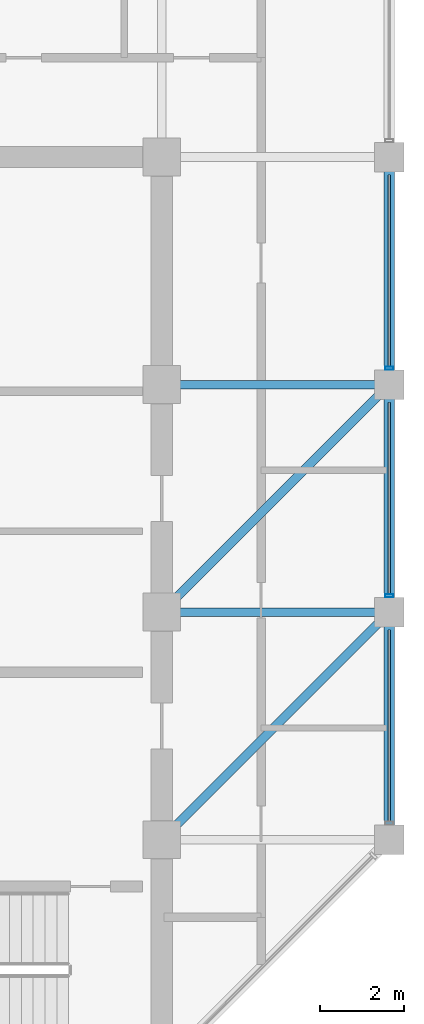
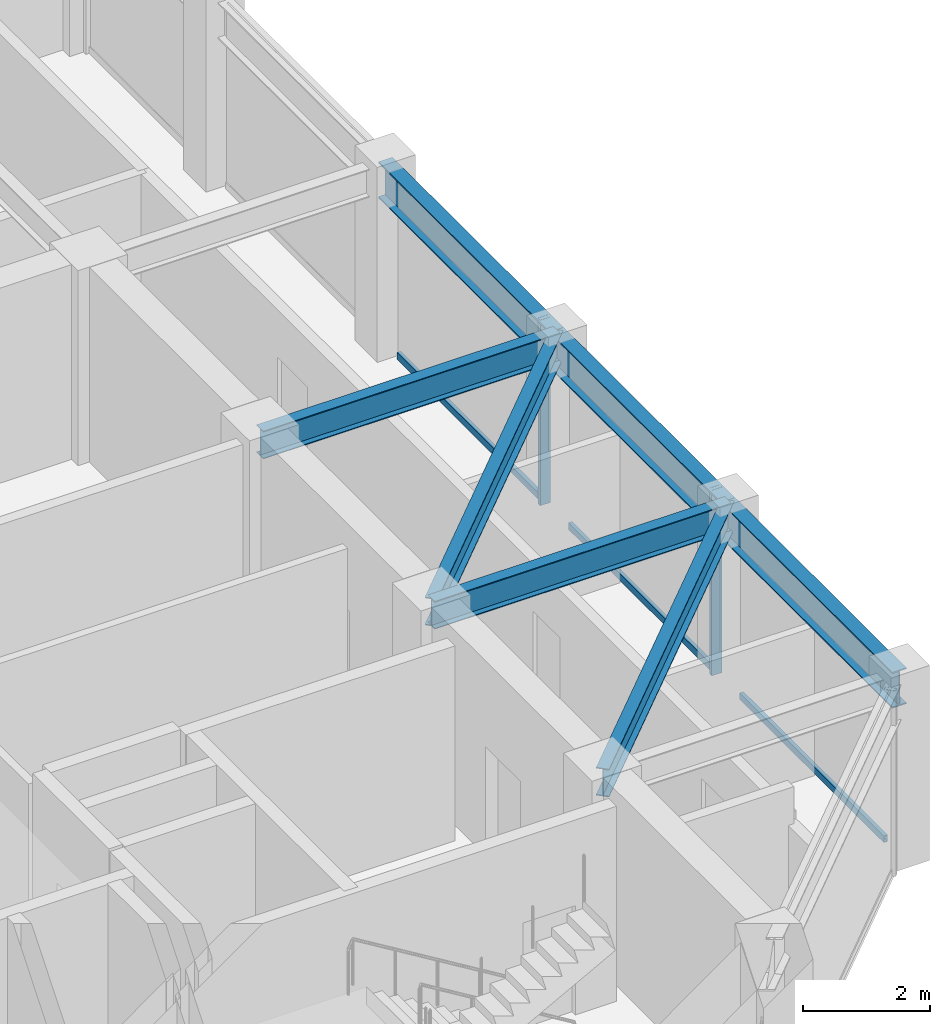
# One storey, part 13 of 31: 7 beams, 5 members, 1 element without a shape of its own.
"""IFC4 building model written with IfcOpenShell, lengths in metres."""

from ifc_helpers import new_model, si_unit, direction, frame, origin, origin_2d, place, context, subcontext, project, spatial, hollow_rectangle, i_section, extrude, material, layer, layer_set, material_profile, profile_set, type_object, element, aggregate, save


model = new_model("IFC4")

# Units and contexts
model_context = context("Model", 3, precision=1e-05, world=origin(), true_north=direction((0.0, 1.0)))
body_context = subcontext(model_context, "Body", "Model", "MODEL_VIEW")
ifc_project = project(units=[si_unit("LENGTHUNIT", "METRE"), si_unit("AREAUNIT", "SQUARE_METRE"), si_unit("VOLUMEUNIT", "CUBIC_METRE"), si_unit("PLANEANGLEUNIT", "RADIAN"), si_unit("MASSUNIT", "GRAM", prefix="KILO")], contexts=[model_context])

# Site, building, storey
site_placement = place(None, origin())
site = spatial("IfcSite", under=ifc_project, at=site_placement, CompositionType="ELEMENT")
building_placement = place(site_placement, origin())
building = spatial("IfcBuilding", under=site, at=building_placement, Name="Surkhivell Harbour Commons", CompositionType="ELEMENT")
storey_placement = place(building_placement, frame((0.0, 0.0, 288.75)))
storey = spatial("IfcBuildingStorey", under=building, at=storey_placement, Name="L75", CompositionType="ELEMENT", Elevation=288.75)

# Beams
ifc_material_1 = material(Name="Steel S355", Category="steel")
ifc_material_profile_1 = material_profile(ifc_material_1, i_section(OverallWidth=0.2099609375, OverallDepth=0.537109375, WebThickness=0.0107421875, FlangeThickness=0.017333984375, at=origin_2d()), Name="UB533x210x101")
ifc_profile_set_1 = profile_set([ifc_material_profile_1], Name="Steel S355")
beam_type_1 = type_object("IfcBeamType", Name="BM-GRD-533B", PredefinedType="BEAM", material=ifc_profile_set_1)
beam_1_placement = place(storey_placement, frame((10.800048828125, -5.39990234375, 3.301513671875), z_axis=(0.707106781187, 0.707106781187, 0.0), x_axis=(-0.707106781187, 0.707106781187, 0.0)))
element("IfcBeam", 1, at=beam_1_placement, inside=storey, type_object=beam_type_1, Name="L75 Floor Girder (10.8,-5.4)", PredefinedType="BEAM", context=body_context, shape_type="SweptSolid", body=[
    extrude(i_section(OverallWidth=0.2099609375, OverallDepth=0.537109375, WebThickness=0.0107421875, FlangeThickness=0.017333984375, at=origin_2d()), origin(), (0.0, 0.0, 1.0), 7.63671875),
])
beam_2_placement = place(storey_placement, frame((10.800048828125, 0.0, 3.301513671875), z_axis=(1.0, 0.0, 0.0), x_axis=(0.0, 1.0, 0.0)))
element("IfcBeam", 2, at=beam_2_placement, inside=storey, type_object=beam_type_1, Name="L75 Floor Girder (10.8,0.0)", PredefinedType="BEAM", context=body_context, shape_type="SweptSolid", body=[
    extrude(i_section(OverallWidth=0.2099609375, OverallDepth=0.537109375, WebThickness=0.0107421875, FlangeThickness=0.017333984375, at=origin_2d()), origin(), (0.0, 0.0, 1.0), 5.39990234375),
])
beam_3_placement = place(storey_placement, frame((10.800048828125, 0.0, 3.301513671875), z_axis=(0.707106781187, 0.707106781187, 0.0), x_axis=(-0.707106781187, 0.707106781187, 0.0)))
element("IfcBeam", 3, at=beam_3_placement, inside=storey, type_object=beam_type_1, Name="L75 Floor Girder (10.8,0.0)", PredefinedType="BEAM", context=body_context, shape_type="SweptSolid", body=[
    extrude(i_section(OverallWidth=0.2099609375, OverallDepth=0.537109375, WebThickness=0.0107421875, FlangeThickness=0.017333984375, at=origin_2d()), origin(), (0.0, 0.0, 1.0), 7.63671875),
])
beam_4_placement = place(storey_placement, frame((10.800048828125, 5.39990234375, 3.301513671875), z_axis=(1.0, 0.0, 0.0), x_axis=(0.0, 1.0, 0.0)))
element("IfcBeam", 4, at=beam_4_placement, inside=storey, type_object=beam_type_1, Name="L75 Floor Girder (10.8,5.4)", PredefinedType="BEAM", context=body_context, shape_type="SweptSolid", body=[
    extrude(i_section(OverallWidth=0.2099609375, OverallDepth=0.537109375, WebThickness=0.0107421875, FlangeThickness=0.017333984375, at=origin_2d()), origin(), (0.0, 0.0, 1.0), 5.39990234375),
])
ifc_material_profile_2 = material_profile(ifc_material_1, i_section(OverallWidth=0.256103515625, OverallDepth=0.693115234375, WebThickness=0.014404296875, FlangeThickness=0.023681640625, at=origin_2d()), Name="UB686x254x170")
ifc_profile_set_2 = profile_set([ifc_material_profile_2], Name="Steel S355")
beam_type_2 = type_object("IfcBeamType", Name="BM-SPN-686", PredefinedType="SPANDREL", material=ifc_profile_set_2)
for number, where, z_axis, x_axis, name in (
    (5, (16.199951171875, -5.39990234375, 3.223388671875), (0.0, 1.0, 0.0), (-1.0, 0.0, 0.0), "L75 Tube Spandrel (16.2,-5.4)"),
    (6, (16.199951171875, 0.0, 3.223388671875), (0.0, 1.0, 0.0), (-1.0, 0.0, 0.0), "L75 Tube Spandrel (16.2,0.0)"),
):
    element("IfcBeam", number, at=place(storey_placement, frame(where, z_axis=z_axis, x_axis=x_axis)), inside=storey, type_object=beam_type_2, Name=name, PredefinedType="SPANDREL", context=body_context, shape_type="SweptSolid", body=[
        extrude(i_section(OverallWidth=0.256103515625, OverallDepth=0.693115234375, WebThickness=0.014404296875, FlangeThickness=0.023681640625, at=origin_2d()), origin(), (0.0, 0.0, 1.0), 5.39990234375),
    ])
beam_5_placement = place(storey_placement, frame((16.199951171875, 5.39990234375, 3.223388671875), z_axis=(0.0, 1.0, 0.0), x_axis=(-1.0, 0.0, 0.0)))
element("IfcBeam", 7, at=beam_5_placement, inside=storey, type_object=beam_type_2, Name="L75 Tube Spandrel (16.2,5.4)", PredefinedType="SPANDREL", context=body_context, shape_type="SweptSolid", body=[
    extrude(i_section(OverallWidth=0.256103515625, OverallDepth=0.693115234375, WebThickness=0.014404296875, FlangeThickness=0.023681640625, at=origin_2d()), origin(), (0.0, 0.0, 1.0), 5.400146484375),
])

# Curtain wall, members
ifc_material_2 = material(Name="Anodised pale-metal aluminium and insulated glazing", Category="aluminium")
ifc_layer = layer(ifc_material_2, 0.175048828125)
ifc_layer_set = layer_set([ifc_layer], Name="Anodised pale-metal aluminium and insulated glazing")
curtain_wall_type = type_object("IfcCurtainWallType", Name="CW-SYS-Z4", PredefinedType="NOTDEFINED", material=ifc_layer_set)
curtain_wall_placement = place(storey_placement, origin())
curtain_wall = element("IfcCurtainWall", 8, at=curtain_wall_placement, inside=storey, type_object=curtain_wall_type, Name="L75 Curtain Wall CW-L75-E02", PredefinedType="NOTDEFINED")
ifc_material_3 = material(Name="Anodised pale-metal aluminium alloy 6063-T6", Category="aluminium")
ifc_material_profile_3 = material_profile(ifc_material_3, hollow_rectangle(XDim=0.074951171875, YDim=0.18994140625, WallThickness=0.00390625, at=origin_2d()), Name="ALU-MULL-75x190")
ifc_profile_set_3 = profile_set([ifc_material_profile_3], Name="Anodised pale-metal aluminium alloy 6063-T6")
member_type_1 = type_object("IfcMemberType", Name="CWM-190", PredefinedType="MULLION", material=ifc_profile_set_3)
member_1_placement = place(storey_placement, frame((16.199951171875, 0.389404296875, 0.0), z_axis=(0.0, 0.0, 1.0), x_axis=(0.0, 1.0, 0.0)))
member_1 = element("IfcMember", 9, at=member_1_placement, type_object=member_type_1, Name="CW-Z4 mullion 2", PredefinedType="MULLION", context=body_context, shape_type="SweptSolid", body=[
    extrude(hollow_rectangle(XDim=0.074951171875, YDim=0.18994140625, WallThickness=0.00390625, at=origin_2d()), origin(), (0.0, 0.0, 1.0), 3.570068359375),
])
member_2_placement = place(storey_placement, frame((16.199951171875, 5.78955078125, 0.0), z_axis=(0.0, 0.0, 1.0), x_axis=(0.0, 1.0, 0.0)))
member_2 = element("IfcMember", 10, at=member_2_placement, type_object=member_type_1, Name="CW-Z4 mullion 3", PredefinedType="MULLION", context=body_context, shape_type="SweptSolid", body=[
    extrude(hollow_rectangle(XDim=0.074951171875, YDim=0.18994140625, WallThickness=0.00390625, at=origin_2d()), origin(), (0.0, 0.0, 1.0), 3.570068359375),
])
ifc_material_4 = material(Name="Champagne anodised aluminium alloy 6063-T6", Category="aluminium")
ifc_material_profile_4 = material_profile(ifc_material_4, hollow_rectangle(XDim=0.070068359375, YDim=0.1298828125, WallThickness=0.00341796875, at=origin_2d()), Name="ALU-TRAN-70x130")
ifc_profile_set_4 = profile_set([ifc_material_profile_4], Name="Champagne anodised aluminium alloy 6063-T6")
member_type_2 = type_object("IfcMemberType", Name="CWT-130", PredefinedType="USERDEFINED", material=ifc_profile_set_4)
member_3_placement = place(storey_placement, frame((16.199951171875, -4.972900390625, 0.06494140625), z_axis=(0.0, 1.0, 0.0), x_axis=(-1.0, 0.0, 0.0)))
member_3 = element("IfcMember", 11, at=member_3_placement, type_object=member_type_2, Name="CW-Z4 transom 1.1", ObjectType="TRANSOM", PredefinedType="USERDEFINED", context=body_context, shape_type="SweptSolid", body=[
    extrude(hollow_rectangle(XDim=0.070068359375, YDim=0.1298828125, WallThickness=0.00341796875, at=origin_2d()), origin(), (0.0, 0.0, 1.0), 4.5458984375),
])
member_4_placement = place(storey_placement, frame((16.199951171875, 0.427001953125, 0.06494140625), z_axis=(0.0, 1.0, 0.0), x_axis=(-1.0, 0.0, 0.0)))
member_4 = element("IfcMember", 12, at=member_4_placement, type_object=member_type_2, Name="CW-Z4 transom 2.1", ObjectType="TRANSOM", PredefinedType="USERDEFINED", context=body_context, shape_type="SweptSolid", body=[
    extrude(hollow_rectangle(XDim=0.070068359375, YDim=0.1298828125, WallThickness=0.00341796875, at=origin_2d()), origin(), (0.0, 0.0, 1.0), 4.5458984375),
])
member_5_placement = place(storey_placement, frame((16.199951171875, 5.826904296875, 0.06494140625), z_axis=(0.0, 1.0, 0.0), x_axis=(-1.0, 0.0, 0.0)))
member_5 = element("IfcMember", 13, at=member_5_placement, type_object=member_type_2, Name="CW-Z4 transom 3.1", ObjectType="TRANSOM", PredefinedType="USERDEFINED", context=body_context, shape_type="SweptSolid", body=[
    extrude(hollow_rectangle(XDim=0.070068359375, YDim=0.1298828125, WallThickness=0.00341796875, at=origin_2d()), origin(), (0.0, 0.0, 1.0), 4.546142578125),
])
aggregate(curtain_wall, [member_3, member_1, member_4, member_2, member_5])

save(model, "model.ifc")
